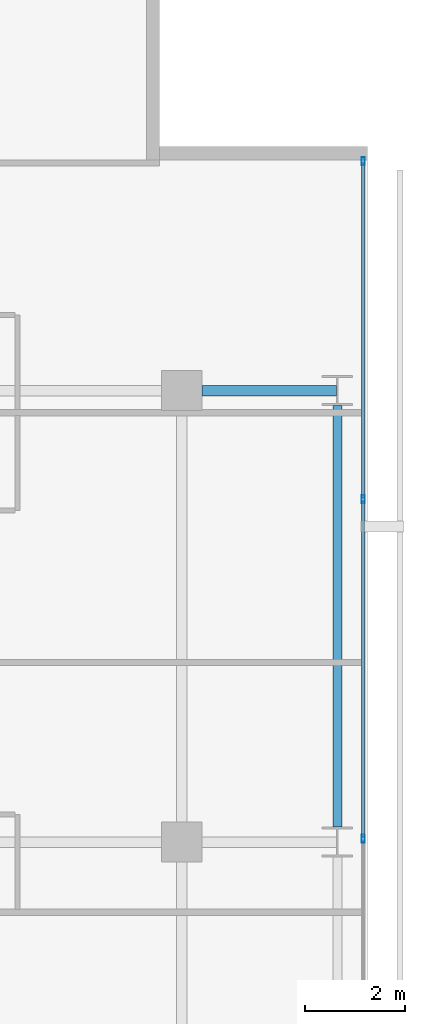
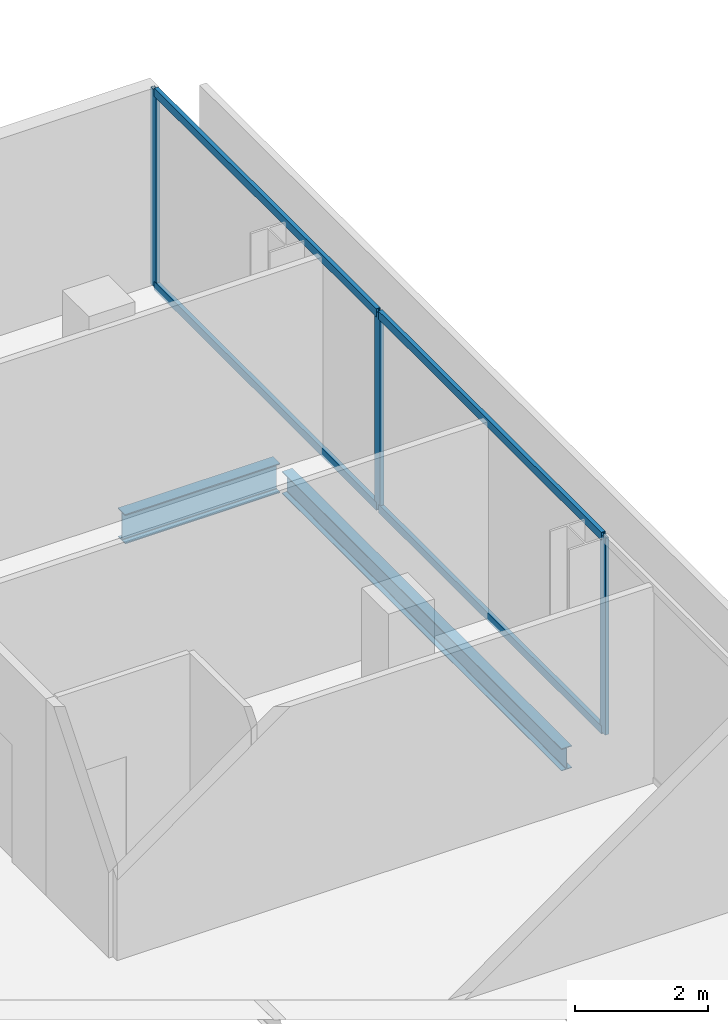
# One storey, part 24 of 34: 7 members, 2 beams, 1 element without a shape of its own.
"""IFC4 building model written with IfcOpenShell, lengths in metres."""

from ifc_helpers import new_model, si_unit, direction, frame, origin, origin_2d, place, context, subcontext, project, spatial, hollow_rectangle, i_section, extrude, material, layer, layer_set, material_profile, profile_set, type_object, element, aggregate, save


model = new_model("IFC4")

# Units and contexts
model_context = context("Model", 3, precision=1e-05, world=origin(), true_north=direction((0.0, 1.0)))
body_context = subcontext(model_context, "Body", "Model", "MODEL_VIEW")
ifc_project = project(units=[si_unit("LENGTHUNIT", "METRE"), si_unit("AREAUNIT", "SQUARE_METRE"), si_unit("VOLUMEUNIT", "CUBIC_METRE"), si_unit("PLANEANGLEUNIT", "RADIAN"), si_unit("MASSUNIT", "GRAM", prefix="KILO")], contexts=[model_context])

# Site, building, storey
site_placement = place(None, origin())
site = spatial("IfcSite", under=ifc_project, at=site_placement, CompositionType="ELEMENT")
building_placement = place(site_placement, origin())
building = spatial("IfcBuilding", under=site, at=building_placement, Name="Maruvema Waterfront Hotel and Observation Tower", CompositionType="ELEMENT")
storey_placement = place(building_placement, frame((0.0, 0.0, 212.10009765625)))
storey = spatial("IfcBuildingStorey", under=building, at=storey_placement, Name="L52", CompositionType="ELEMENT", Elevation=212.10009765625)

# Curtain wall, members
ifc_material_1 = material(Name="Anodised bronze aluminium and solar-control low-E IGU", Category="aluminium")
ifc_layer = layer(ifc_material_1, 0.159912109375, Name="Zone 2 Amber Inner Thermal Curtain Wall System CW-03")
ifc_layer_set = layer_set([ifc_layer], Name="Anodised bronze aluminium and solar-control low-E IGU")
curtain_wall_type = type_object("IfcCurtainWallType", Name="Zone 2 Amber Inner Thermal Curtain Wall System CW-03", PredefinedType="USERDEFINED", material=ifc_layer_set)
curtain_wall_placement = place(storey_placement, origin())
curtain_wall = element("IfcCurtainWall", 1, at=curtain_wall_placement, inside=storey, type_object=curtain_wall_type, Name="L52 Curtain Wall CW-L52-E", ObjectType="UNITISED CURTAIN WALL", PredefinedType="USERDEFINED")
ifc_material_2 = material(Name="Anodised architectural bronze aluminium", Category="aluminium")
ifc_material_profile_1 = material_profile(ifc_material_2, hollow_rectangle(XDim=0.070068359375, YDim=0.14990234375, WallThickness=0.00390625, at=origin_2d()), Name="ALU-T70x150")
ifc_profile_set_1 = profile_set([ifc_material_profile_1], Name="Anodised architectural bronze aluminium")
member_type_1 = type_object("IfcMemberType", Name="Curtain Wall Horizontal Transom ALU-T70x150", PredefinedType="USERDEFINED", material=ifc_profile_set_1)
member_1_placement = place(storey_placement, frame((62.419921875, 36.0966796875, 0.02978515625), z_axis=(0.0, 1.0, 0.0), x_axis=(-1.0, 0.0, 0.0)))
member_1 = element("IfcMember", 2, at=member_1_placement, type_object=member_type_1, Name="CW-03 transom 5.1", ObjectType="TRANSOM", PredefinedType="USERDEFINED", context=body_context, shape_type="SweptSolid", body=[
    extrude(hollow_rectangle(XDim=0.070068359375, YDim=0.14990234375, WallThickness=0.00390625, at=origin_2d()), origin(), (0.0, 0.0, 1.0), 6.70654296875),
])
member_2_placement = place(storey_placement, frame((62.419921875, 36.0966796875, 3.579833984375), z_axis=(0.0, 1.0, 0.0), x_axis=(-1.0, 0.0, 0.0)))
member_2 = element("IfcMember", 3, at=member_2_placement, type_object=member_type_1, Name="CW-03 transom 5.2", ObjectType="TRANSOM", PredefinedType="USERDEFINED", context=body_context, shape_type="SweptSolid", body=[
    extrude(hollow_rectangle(XDim=0.070068359375, YDim=0.14990234375, WallThickness=0.00390625, at=origin_2d()), origin(), (0.0, 0.0, 1.0), 6.70654296875),
])
member_3_placement = place(storey_placement, frame((62.419921875, 42.86328125, 0.02978515625), z_axis=(0.0, 1.0, 0.0), x_axis=(-1.0, 0.0, 0.0)))
member_3 = element("IfcMember", 4, at=member_3_placement, type_object=member_type_1, Name="CW-03 transom 6.1", ObjectType="TRANSOM", PredefinedType="USERDEFINED", context=body_context, shape_type="SweptSolid", body=[
    extrude(hollow_rectangle(XDim=0.070068359375, YDim=0.14990234375, WallThickness=0.00390625, at=origin_2d()), origin(), (0.0, 0.0, 1.0), 6.6767578125),
])
member_4_placement = place(storey_placement, frame((62.419921875, 42.86328125, 3.579833984375), z_axis=(0.0, 1.0, 0.0), x_axis=(-1.0, 0.0, 0.0)))
member_4 = element("IfcMember", 5, at=member_4_placement, type_object=member_type_1, Name="CW-03 transom 6.2", ObjectType="TRANSOM", PredefinedType="USERDEFINED", context=body_context, shape_type="SweptSolid", body=[
    extrude(hollow_rectangle(XDim=0.070068359375, YDim=0.14990234375, WallThickness=0.00390625, at=origin_2d()), origin(), (0.0, 0.0, 1.0), 6.6767578125),
])
ifc_material_3 = material(Name="Anodised architectural bronze aluminium", Category="aluminium")
ifc_material_profile_2 = material_profile(ifc_material_3, hollow_rectangle(XDim=0.06494140625, YDim=0.1650390625, WallThickness=0.00390625, at=origin_2d()), Name="ALU-M65x165")
ifc_profile_set_2 = profile_set([ifc_material_profile_2], Name="Anodised architectural bronze aluminium")
member_type_2 = type_object("IfcMemberType", Name="Curtain Wall Primary Mullion ALU-M65x165", PredefinedType="MULLION", material=ifc_profile_set_2)
member_5_placement = place(storey_placement, frame((62.419921875, 36.066650390625, 0.0), z_axis=(0.0, 0.0, 1.0), x_axis=(-1.0, 0.0, 0.0)))
member_5 = element("IfcMember", 6, at=member_5_placement, type_object=member_type_2, Name="CW-03 mullion 5", PredefinedType="MULLION", context=body_context, shape_type="SweptSolid", body=[
    extrude(hollow_rectangle(XDim=0.06494140625, YDim=0.1650390625, WallThickness=0.00390625, at=origin_2d()), origin(), (0.0, 0.0, 1.0), 3.60986328125),
])
member_6_placement = place(storey_placement, frame((62.419921875, 42.833251953125, 0.0), z_axis=(0.0, 0.0, 1.0), x_axis=(-1.0, 0.0, 0.0)))
member_6 = element("IfcMember", 7, at=member_6_placement, type_object=member_type_2, Name="CW-03 mullion 6", PredefinedType="MULLION", context=body_context, shape_type="SweptSolid", body=[
    extrude(hollow_rectangle(XDim=0.06494140625, YDim=0.1650390625, WallThickness=0.00390625, at=origin_2d()), origin(), (0.0, 0.0, 1.0), 3.60986328125),
])
member_7_placement = place(storey_placement, frame((62.419921875, 49.570068359375, 0.0), z_axis=(0.0, 0.0, 1.0), x_axis=(-1.0, 0.0, 0.0)))
member_7 = element("IfcMember", 8, at=member_7_placement, type_object=member_type_2, Name="CW-03 mullion 7", PredefinedType="MULLION", context=body_context, shape_type="SweptSolid", body=[
    extrude(hollow_rectangle(XDim=0.06494140625, YDim=0.1650390625, WallThickness=0.00390625, at=origin_2d()), origin(), (0.0, 0.0, 1.0), 3.60986328125),
])
aggregate(curtain_wall, [member_5, member_6, member_7, member_1, member_2, member_3, member_4])

# Beams
ifc_material_4 = material(Name="Steel ASTM A572 Grade 50", Category="steel")
ifc_material_profile_3 = material_profile(ifc_material_4, i_section(OverallWidth=0.178955078125, OverallDepth=0.409912109375, WebThickness=0.0087890625, FlangeThickness=0.014404296875, FilletRadius=0.014892578125, at=origin_2d()), Name="W410x67.0")
ifc_profile_set_3 = profile_set([ifc_material_profile_3], Name="Steel ASTM A572 Grade 50")
beam_type_1 = type_object("IfcBeamType", Name="Perimeter Spandrel Beam W410x67.0", PredefinedType="SPANDREL", material=ifc_profile_set_3)
beam_1_placement = place(storey_placement, frame((61.89990234375, 36.300048828125, -0.445068359375), z_axis=(0.0, 1.0, 0.0), x_axis=(-1.0, 0.0, 0.0)))
element("IfcBeam", 9, at=beam_1_placement, inside=storey, type_object=beam_type_1, Name="L52 Floor Girder NS-32", PredefinedType="SPANDREL", context=body_context, shape_type="SweptSolid", body=[
    extrude(i_section(OverallWidth=0.178955078125, OverallDepth=0.409912109375, WebThickness=0.0087890625, FlangeThickness=0.014404296875, FilletRadius=0.014892578125, at=origin_2d()), origin(), (0.0, 0.0, 1.0), 8.39990234375),
])
ifc_material_5 = material(Name="Steel ASTM A572 Grade 50", Category="steel")
ifc_material_profile_4 = material_profile(ifc_material_5, i_section(OverallWidth=0.2109375, OverallDepth=0.5390625, WebThickness=0.01171875, FlangeThickness=0.018798828125, FilletRadius=0.014892578125, at=origin_2d()), Name="W530x109.0")
ifc_profile_set_4 = profile_set([ifc_material_profile_4], Name="Steel ASTM A572 Grade 50")
beam_type_2 = type_object("IfcBeamType", Name="Primary Floor Girder W530x109.0", PredefinedType="BEAM", material=ifc_profile_set_4)
beam_2_placement = place(storey_placement, frame((59.199951171875, 45.0, -0.509521484375), z_axis=(1.0, 0.0, 0.0), x_axis=(0.0, 1.0, 0.0)))
element("IfcBeam", 10, at=beam_2_placement, inside=storey, type_object=beam_type_2, Name="L52 Floor Girder EW-33", PredefinedType="BEAM", context=body_context, shape_type="SweptSolid", body=[
    extrude(i_section(OverallWidth=0.2109375, OverallDepth=0.5390625, WebThickness=0.01171875, FlangeThickness=0.018798828125, FilletRadius=0.014892578125, at=origin_2d()), origin(), (0.0, 0.0, 1.0), 2.6875),
])

save(model, "model.ifc")
